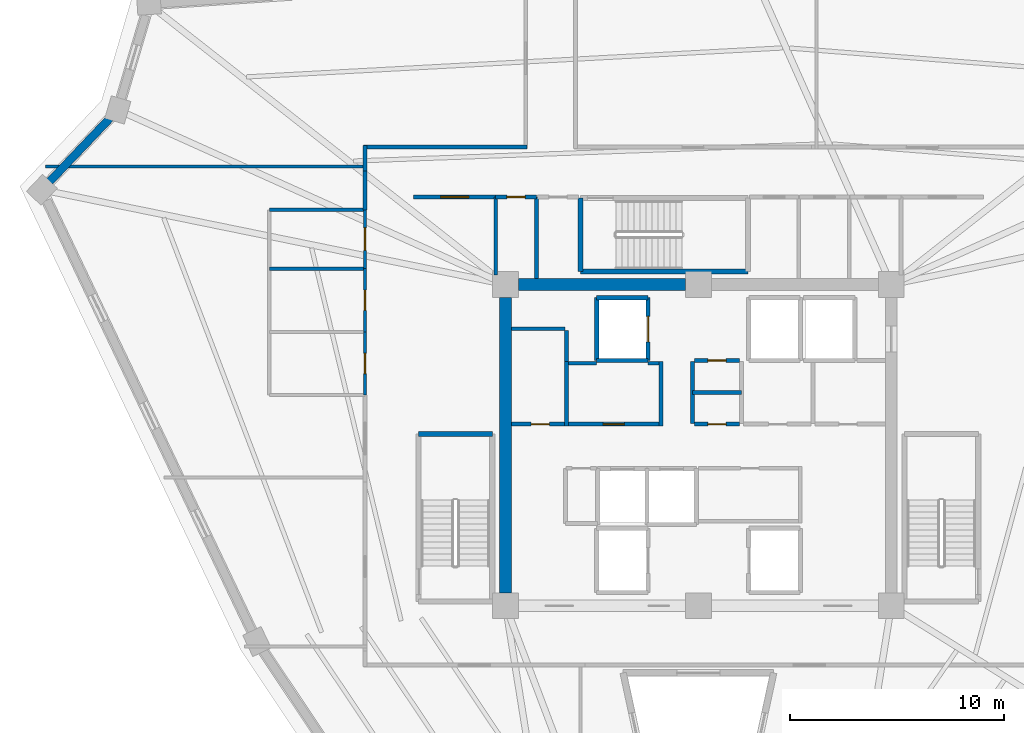
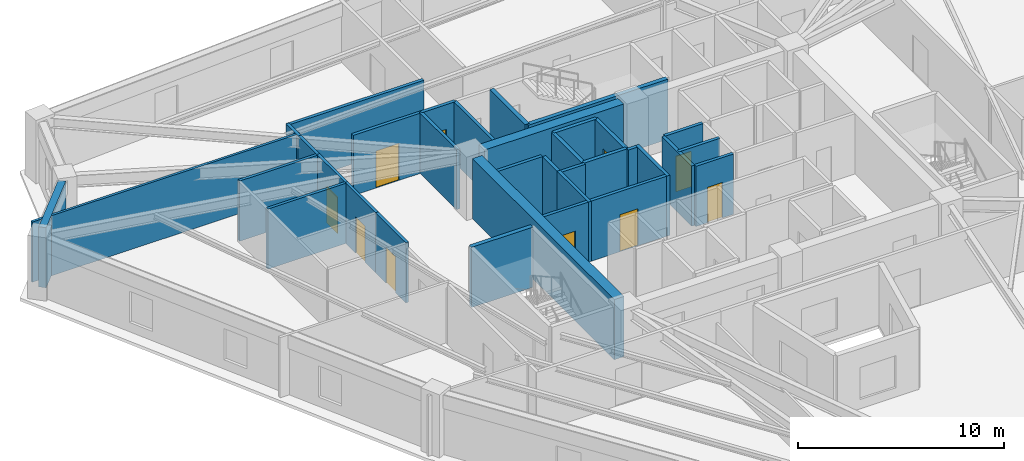
# One storey, part 5 of 8: 35 walls, 10 doors, 10 openings.
"""IFC4 building model written with IfcOpenShell, lengths in metres."""

from ifc_helpers import new_model, si_unit, direction, frame, frame_2d, origin, place, context, subcontext, project, spatial, rectangle, extrude, source, transform, mapped, material, layer, layer_set, type_object, element, fill, save


model = new_model("IFC4")

# Units and contexts
model_context = context("Model", 3, precision=1e-05, world=origin(), true_north=direction((0.0, 1.0)))
body_context = subcontext(model_context, "Body", "Model", "MODEL_VIEW")
ifc_project = project(units=[si_unit("LENGTHUNIT", "METRE"), si_unit("AREAUNIT", "SQUARE_METRE"), si_unit("VOLUMEUNIT", "CUBIC_METRE"), si_unit("PLANEANGLEUNIT", "RADIAN"), si_unit("MASSUNIT", "GRAM", prefix="KILO")], contexts=[model_context])

# Site, building, storey
site_placement = place(None, origin())
site = spatial("IfcSite", under=ifc_project, at=site_placement, CompositionType="ELEMENT")
building_placement = place(site_placement, origin())
building = spatial("IfcBuilding", under=site, at=building_placement, Name="Liaohun Quay Tower", CompositionType="ELEMENT")
storey_placement = place(building_placement, frame((0.0, 0.0, 290.25)))
storey = spatial("IfcBuildingStorey", under=building, at=storey_placement, Name="L75", CompositionType="ELEMENT", Elevation=290.25)

# Walls
ifc_material_1 = material(Name="Concrete C50", Category="concrete")
ifc_layer_1 = layer(ifc_material_1, 0.550048828125, Name="Concrete C50", Category="concrete")
ifc_layer_set_1 = layer_set([ifc_layer_1], Name="Concrete C50")
wall_type_1 = type_object("IfcWallType", Name="WAL-COR-Z4", PredefinedType="SHEAR", material=ifc_layer_set_1)
wall_1_placement = place(storey_placement, frame((51.60009765625, 61.5, 0.0), z_axis=(0.0, 0.0, 1.0), x_axis=(1.0, 0.0, 0.0)))
element("IfcWall", 1, at=wall_1_placement, inside=storey, type_object=wall_type_1, Name="L75 Central Core Shear Wall N-W", PredefinedType="SHEAR", context=body_context, shape_type="SweptSolid", body=[
    extrude(rectangle(XDim=7.7998046875, YDim=0.550048828125, at=frame_2d((3.89990234375, 0.0))), origin(), (0.0, 0.0, 1.0), 3.570068359375),
])
wall_2_placement = place(storey_placement, frame((51.0, 47.10009765625, 0.0), z_axis=(0.0, 0.0, 1.0), x_axis=(0.0, 1.0, 0.0)))
element("IfcWall", 2, at=wall_2_placement, inside=storey, type_object=wall_type_1, Name="L75 Central Core Shear Wall W", PredefinedType="SHEAR", context=body_context, shape_type="SweptSolid", body=[
    extrude(rectangle(XDim=13.7998046875, YDim=0.550048828125, at=frame_2d((6.89990234375, 0.0))), origin(), (0.0, 0.0, 1.0), 3.570068359375),
])
ifc_material_2 = material(Name="Precast concrete C50 insulated sandwich", Category="concrete")
ifc_layer_2 = layer(ifc_material_2, 0.3798828125, Name="Precast concrete C50 insulated sandwich", Category="concrete")
ifc_layer_set_2 = layer_set([ifc_layer_2], Name="Precast concrete C50 insulated sandwich")
wall_type_2 = type_object("IfcWallType", Name="WAL-EXT-Z34", PredefinedType="SOLIDWALL", material=ifc_layer_set_2)
wall_3_placement = place(storey_placement, frame((32.531982421875, 69.2529296875, 0.0), z_axis=(0.0, 0.0, 1.0), x_axis=(-0.689320656659, -0.724456370186, 0.0)))
element("IfcWall", 3, at=wall_3_placement, inside=storey, type_object=wall_type_2, Name="L75 Brutalist Precast Pier Wall 09", PredefinedType="SOLIDWALL", context=body_context, shape_type="SweptSolid", body=[
    extrude(rectangle(XDim=4.06494140625, YDim=0.3798828125, at=frame_2d((2.032470703125, 0.0))), origin(), (0.0, 0.0, 1.0), 3.570068359375),
])

# Wall, opening, door
ifc_material_3 = material(Name="Autoclaved aerated concrete blockwork", Category="masonry")
ifc_layer_3 = layer(ifc_material_3, 0.179931640625, Name="Autoclaved aerated concrete blockwork", Category="masonry")
ifc_layer_set_3 = layer_set([ifc_layer_3], Name="Autoclaved aerated concrete blockwork")
wall_type_3 = type_object("IfcWallType", Name="WAL-PRT-COR", PredefinedType="PARTITIONING", material=ifc_layer_set_3)
wall_4_placement = place(storey_placement, frame((53.93994140625, 54.97998046875, 0.0), z_axis=(0.0, 0.0, 1.0), x_axis=(1.0, 0.0, 0.0)))
wall_4 = element("IfcWall", 4, at=wall_4_placement, inside=storey, type_object=wall_type_3, Name="L75 Interior Partition Wall 002", PredefinedType="PARTITIONING", context=body_context, shape_type="SweptSolid", body=[
    extrude(rectangle(XDim=4.219970703125, YDim=0.179931640625, at=frame_2d((2.10986328125, 0.0))), origin(), (0.0, 0.0, 1.0), 3.570068359375),
])
shared_shape_1 = source(origin(), body_context, "Body", "SweptSolid", [
    extrude(rectangle(XDim=1.0, YDim=2.199951171875, at=frame_2d((0.5, 1.10009765625))), frame((0.0, 0.099853515625, 0.0), z_axis=(0.0, -1.0, 0.0), x_axis=(1.0, 0.0, 0.0)), (0.0, 0.0, 1.0), 0.199951171875),
])
opening_1_placement = place(wall_4_placement, frame((1.610107421875, 0.0, 0.0)))
opening_1 = element("IfcOpeningElement", 5, at=opening_1_placement, cuts=wall_4, Name="Opening OD1", PredefinedType="OPENING", context=body_context, shape_type="MappedRepresentation", body=[
    mapped(shared_shape_1, transform((0.0, 0.0, 0.0), x_axis=(1.0, 0.0, 0.0), y_axis=(0.0, 1.0, 0.0), z_axis=(0.0, 0.0, 1.0), scale=1.0)),
])
ifc_material_4 = material(Name="Solid-core oak veneer timber leaf in steel frame", Category="steel")
door_type_1 = type_object("IfcDoorType", Name="DOR-OFF-1000", OperationType="NOTDEFINED", PredefinedType="DOOR", material=ifc_material_4)
shared_shape_2 = source(origin(), body_context, "Body", "SweptSolid", [
    extrude(rectangle(XDim=1.0, YDim=2.199951171875, at=frame_2d((0.5, 1.10009765625))), frame((0.0, 0.02490234375, 0.0), z_axis=(0.0, -1.0, 0.0), x_axis=(1.0, 0.0, 0.0)), (0.0, 0.0, 1.0), 0.050048828125),
])
door_1_placement = place(opening_1_placement, origin())
door_1 = element("IfcDoor", 6, at=door_1_placement, inside=storey, type_object=door_type_1, Name="L75 Core Staff Pantry and Tea Room Door", OperationType="SINGLE_SWING_RIGHT", OverallHeight=2.199951171875, OverallWidth=1.0, PredefinedType="DOOR", context=body_context, shape_type="MappedRepresentation", body=[
    mapped(shared_shape_2, transform((0.0, 0.0, 0.0), x_axis=(1.0, 0.0, 0.0), y_axis=(0.0, 1.0, 0.0), z_axis=(0.0, 0.0, 1.0), scale=1.0)),
])
fill(opening_1, door_1)

wall_5_placement = place(storey_placement, frame((51.27490234375, 54.97998046875, 0.0), z_axis=(0.0, 0.0, 1.0), x_axis=(1.0, 0.0, 0.0)))
wall_5 = element("IfcWall", 7, at=wall_5_placement, inside=storey, type_object=wall_type_3, Name="L75 Interior Partition Wall 003", PredefinedType="PARTITIONING", context=body_context, shape_type="SweptSolid", body=[
    extrude(rectangle(XDim=2.485107421875, YDim=0.179931640625, at=frame_2d((1.24267578125, 0.0))), origin(), (0.0, 0.0, 1.0), 3.570068359375),
])
shared_shape_3 = source(origin(), body_context, "Body", "SweptSolid", [
    extrude(rectangle(XDim=0.85009765625, YDim=2.10009765625, at=frame_2d((0.425048828125, 1.050048828125))), frame((0.0, 0.099853515625, 0.0), z_axis=(0.0, -1.0, 0.0), x_axis=(1.0, 0.0, 0.0)), (0.0, 0.0, 1.0), 0.199951171875),
])
opening_2_placement = place(wall_5_placement, frame((0.9150390625, 0.0, 0.0)))
opening_2 = element("IfcOpeningElement", 8, at=opening_2_placement, cuts=wall_5, Name="Opening AD1", PredefinedType="OPENING", context=body_context, shape_type="MappedRepresentation", body=[
    mapped(shared_shape_3, transform((0.0, 0.0, 0.0), x_axis=(1.0, 0.0, 0.0), y_axis=(0.0, 1.0, 0.0), z_axis=(0.0, 0.0, 1.0), scale=1.0)),
])
ifc_material_5 = material(Name="Steel riser inspection fire door", Category="steel")
door_type_2 = type_object("IfcDoorType", Name="DOR-SHF-850", OperationType="NOTDEFINED", PredefinedType="DOOR", material=ifc_material_5)
shared_shape_4 = source(origin(), body_context, "Body", "SweptSolid", [
    extrude(rectangle(XDim=0.85009765625, YDim=2.10009765625, at=frame_2d((0.425048828125, 1.050048828125))), frame((0.0, 0.02490234375, 0.0), z_axis=(0.0, -1.0, 0.0), x_axis=(1.0, 0.0, 0.0)), (0.0, 0.0, 1.0), 0.050048828125),
])
door_2_placement = place(opening_2_placement, origin())
door_2 = element("IfcDoor", 9, at=door_2_placement, inside=storey, type_object=door_type_2, Name="L75 Core High-Zone Archive and Riser Store Door", OperationType="SINGLE_SWING_LEFT", OverallHeight=2.10009765625, OverallWidth=0.85009765625, PredefinedType="DOOR", context=body_context, shape_type="MappedRepresentation", body=[
    mapped(shared_shape_4, transform((0.0, 0.0, 0.0), x_axis=(1.0, 0.0, 0.0), y_axis=(0.0, 1.0, 0.0), z_axis=(0.0, 0.0, 1.0), scale=1.0)),
])
fill(opening_2, door_2)

wall_6_placement = place(storey_placement, frame((59.81005859375, 54.97998046875, 0.0), z_axis=(0.0, 0.0, 1.0), x_axis=(1.0, 0.0, 0.0)))
wall_6 = element("IfcWall", 10, at=wall_6_placement, inside=storey, type_object=wall_type_3, Name="L75 Interior Partition Wall 006", PredefinedType="PARTITIONING", context=body_context, shape_type="SweptSolid", body=[
    extrude(rectangle(XDim=2.10986328125, YDim=0.179931640625, at=frame_2d((1.054931640625, 0.0))), origin(), (0.0, 0.0, 1.0), 3.570068359375),
])
opening_3_placement = place(wall_6_placement, frame((0.635009765625, 0.0, 0.0)))
opening_3 = element("IfcOpeningElement", 11, at=opening_3_placement, cuts=wall_6, Name="Opening AD1", PredefinedType="OPENING", context=body_context, shape_type="MappedRepresentation", body=[
    mapped(shared_shape_3, transform((0.0, 0.0, 0.0), x_axis=(1.0, 0.0, 0.0), y_axis=(0.0, 1.0, 0.0), z_axis=(0.0, 0.0, 1.0), scale=1.0)),
])
door_3_placement = place(opening_3_placement, origin())
door_3 = element("IfcDoor", 12, at=door_3_placement, inside=storey, type_object=door_type_2, Name="L75 Electrical Riser Room Door", OperationType="SINGLE_SWING_RIGHT", OverallHeight=2.10009765625, OverallWidth=0.85009765625, PredefinedType="DOOR", context=body_context, shape_type="MappedRepresentation", body=[
    mapped(shared_shape_4, transform((0.0, 0.0, 0.0), x_axis=(1.0, 0.0, 0.0), y_axis=(0.0, 1.0, 0.0), z_axis=(0.0, 0.0, 1.0), scale=1.0)),
])
fill(opening_3, door_3)

wall_7_placement = place(storey_placement, frame((59.81005859375, 57.949951171875, 0.0), z_axis=(0.0, 0.0, 1.0), x_axis=(1.0, 0.0, 0.0)))
wall_7 = element("IfcWall", 13, at=wall_7_placement, inside=storey, type_object=wall_type_3, Name="L75 Interior Partition Wall 007", PredefinedType="PARTITIONING", context=body_context, shape_type="SweptSolid", body=[
    extrude(rectangle(XDim=2.10986328125, YDim=0.179931640625, at=frame_2d((1.054931640625, 0.0))), origin(), (0.0, 0.0, 1.0), 3.570068359375),
])
opening_4_placement = place(wall_7_placement, frame((0.635009765625, 0.0, 0.0)))
opening_4 = element("IfcOpeningElement", 14, at=opening_4_placement, cuts=wall_7, Name="Opening AD1", PredefinedType="OPENING", context=body_context, shape_type="MappedRepresentation", body=[
    mapped(shared_shape_3, transform((0.0, 0.0, 0.0), x_axis=(1.0, 0.0, 0.0), y_axis=(0.0, 1.0, 0.0), z_axis=(0.0, 0.0, 1.0), scale=1.0)),
])
door_4_placement = place(opening_4_placement, origin())
door_4 = element("IfcDoor", 15, at=door_4_placement, inside=storey, type_object=door_type_2, Name="L75 Telecom Comms Closet Door", OperationType="SINGLE_SWING_LEFT", OverallHeight=2.10009765625, OverallWidth=0.85009765625, PredefinedType="DOOR", context=body_context, shape_type="MappedRepresentation", body=[
    mapped(shared_shape_4, transform((0.0, 0.0, 0.0), x_axis=(1.0, 0.0, 0.0), y_axis=(0.0, 1.0, 0.0), z_axis=(0.0, 0.0, 1.0), scale=1.0)),
])
fill(opening_4, door_4)

wall_8_placement = place(storey_placement, frame((50.5400390625, 65.580078125, 0.0), z_axis=(0.0, 0.0, 1.0), x_axis=(1.0, 0.0, 0.0)))
wall_8 = element("IfcWall", 16, at=wall_8_placement, inside=storey, type_object=wall_type_3, Name="L75 Interior Partition Wall 012", PredefinedType="PARTITIONING", context=body_context, shape_type="SweptSolid", body=[
    extrude(rectangle(XDim=1.89990234375, YDim=0.179931640625, at=frame_2d((0.949951171875, 0.0))), origin(), (0.0, 0.0, 1.0), 3.570068359375),
])
opening_5_placement = place(wall_8_placement, frame((0.52490234375, 0.0, 0.0)))
opening_5 = element("IfcOpeningElement", 17, at=opening_5_placement, cuts=wall_8, Name="Opening AD1", PredefinedType="OPENING", context=body_context, shape_type="MappedRepresentation", body=[
    mapped(shared_shape_3, transform((0.0, 0.0, 0.0), x_axis=(1.0, 0.0, 0.0), y_axis=(0.0, 1.0, 0.0), z_axis=(0.0, 0.0, 1.0), scale=1.0)),
])
door_5_placement = place(opening_5_placement, origin())
door_5 = element("IfcDoor", 18, at=door_5_placement, inside=storey, type_object=door_type_2, Name="L75 North-West Riser Closet Door", OperationType="SINGLE_SWING_RIGHT", OverallHeight=2.10009765625, OverallWidth=0.85009765625, PredefinedType="DOOR", context=body_context, shape_type="MappedRepresentation", body=[
    mapped(shared_shape_4, transform((0.0, 0.0, 0.0), x_axis=(1.0, 0.0, 0.0), y_axis=(0.0, 1.0, 0.0), z_axis=(0.0, 0.0, 1.0), scale=1.0)),
])
fill(opening_5, door_5)

wall_9_placement = place(storey_placement, frame((46.699951171875, 65.580078125, 0.0), z_axis=(0.0, 0.0, 1.0), x_axis=(1.0, 0.0, 0.0)))
wall_9 = element("IfcWall", 19, at=wall_9_placement, inside=storey, type_object=wall_type_3, Name="L75 Interior Partition Wall 017", PredefinedType="PARTITIONING", context=body_context, shape_type="SweptSolid", body=[
    extrude(rectangle(XDim=3.840087890625, YDim=0.179931640625, at=frame_2d((1.919921875, 0.0))), origin(), (0.0, 0.0, 1.0), 3.570068359375),
])
shared_shape_5 = source(origin(), body_context, "Body", "SweptSolid", [
    extrude(rectangle(XDim=1.300048828125, YDim=2.199951171875, at=frame_2d((0.64990234375, 1.10009765625))), frame((0.0, 0.099853515625, 0.0), z_axis=(0.0, -1.0, 0.0), x_axis=(1.0, 0.0, 0.0)), (0.0, 0.0, 1.0), 0.199951171875),
])
opening_6_placement = place(wall_9_placement, frame((1.27001953125, 0.0, 0.0)))
opening_6 = element("IfcOpeningElement", 20, at=opening_6_placement, cuts=wall_9, Name="Opening FD1", PredefinedType="OPENING", context=body_context, shape_type="MappedRepresentation", body=[
    mapped(shared_shape_5, transform((0.0, 0.0, 0.0), x_axis=(1.0, 0.0, 0.0), y_axis=(0.0, 1.0, 0.0), z_axis=(0.0, 0.0, 1.0), scale=1.0)),
])
ifc_material_6 = material(Name="Galvanised steel smokeproof fire door", Category="steel")
door_type_3 = type_object("IfcDoorType", Name="DOR-FFL-1300", OperationType="NOTDEFINED", PredefinedType="DOOR", material=ifc_material_6)
shared_shape_6 = source(origin(), body_context, "Body", "SweptSolid", [
    extrude(rectangle(XDim=1.300048828125, YDim=2.199951171875, at=frame_2d((0.64990234375, 1.10009765625))), frame((0.0, 0.02490234375, 0.0), z_axis=(0.0, -1.0, 0.0), x_axis=(1.0, 0.0, 0.0)), (0.0, 0.0, 1.0), 0.050048828125),
])
door_6_placement = place(opening_6_placement, origin())
door_6 = element("IfcDoor", 21, at=door_6_placement, inside=storey, type_object=door_type_3, Name="L75 West Core Vestibule Door", OperationType="SINGLE_SWING_LEFT", OverallHeight=2.199951171875, OverallWidth=1.300048828125, PredefinedType="DOOR", context=body_context, shape_type="MappedRepresentation", body=[
    mapped(shared_shape_6, transform((0.0, 0.0, 0.0), x_axis=(1.0, 0.0, 0.0), y_axis=(0.0, 1.0, 0.0), z_axis=(0.0, 0.0, 1.0), scale=1.0)),
])
fill(opening_6, door_6)

# Walls
wall_10_placement = place(storey_placement, frame((51.27490234375, 59.429931640625, 0.0), z_axis=(0.0, 0.0, 1.0), x_axis=(1.0, 0.0, 0.0)))
element("IfcWall", 22, at=wall_10_placement, inside=storey, type_object=wall_type_3, Name="L75 Interior Partition Wall 029", PredefinedType="PARTITIONING", context=body_context, shape_type="SweptSolid", body=[
    extrude(rectangle(XDim=2.505126953125, YDim=0.179931640625, at=frame_2d((1.25244140625, 0.0))), origin(), (0.0, 0.0, 1.0), 3.570068359375),
])
wall_11_placement = place(storey_placement, frame((59.719970703125, 55.02001953125, 0.0), z_axis=(0.0, 0.0, 1.0), x_axis=(0.0, 1.0, 0.0)))
element("IfcWall", 23, at=wall_11_placement, inside=storey, type_object=wall_type_3, Name="L75 Interior Partition Wall 031", PredefinedType="PARTITIONING", context=body_context, shape_type="SweptSolid", body=[
    extrude(rectangle(XDim=2.8798828125, YDim=0.179931640625, at=frame_2d((1.43994140625, 0.0))), origin(), (0.0, 0.0, 1.0), 3.570068359375),
])
wall_12_placement = place(storey_placement, frame((59.719970703125, 56.4599609375, 0.0), z_axis=(0.0, 0.0, 1.0), x_axis=(1.0, 0.0, 0.0)))
element("IfcWall", 24, at=wall_12_placement, inside=storey, type_object=wall_type_3, Name="L75 Interior Partition Wall 033", PredefinedType="PARTITIONING", context=body_context, shape_type="SweptSolid", body=[
    extrude(rectangle(XDim=2.2900390625, YDim=0.179931640625, at=frame_2d((1.14501953125, 0.0))), origin(), (0.0, 0.0, 1.0), 3.570068359375),
])
wall_13_placement = place(storey_placement, frame((50.5400390625, 61.949951171875, 0.0), z_axis=(0.0, 0.0, 1.0), x_axis=(0.0, 1.0, 0.0)))
element("IfcWall", 25, at=wall_13_placement, inside=storey, type_object=wall_type_3, Name="L75 Interior Partition Wall 041", PredefinedType="PARTITIONING", context=body_context, shape_type="SweptSolid", body=[
    extrude(rectangle(XDim=3.630126953125, YDim=0.179931640625, at=frame_2d((1.81494140625, 0.0))), origin(), (0.0, 0.0, 1.0), 3.570068359375),
])
wall_14_placement = place(storey_placement, frame((52.43994140625, 61.77490234375, 0.0), z_axis=(0.0, 0.0, 1.0), x_axis=(0.0, 1.0, 0.0)))
element("IfcWall", 26, at=wall_14_placement, inside=storey, type_object=wall_type_3, Name="L75 Interior Partition Wall 042", PredefinedType="PARTITIONING", context=body_context, shape_type="SweptSolid", body=[
    extrude(rectangle(XDim=3.80517578125, YDim=0.179931640625, at=frame_2d((1.902587890625, 0.0))), origin(), (0.0, 0.0, 1.0), 3.570068359375),
])
wall_15_placement = place(storey_placement, frame((44.3701171875, 67.909912109375, 0.0), z_axis=(0.0, 0.0, 1.0), x_axis=(1.0, 0.0, 0.0)))
element("IfcWall", 27, at=wall_15_placement, inside=storey, type_object=wall_type_3, Name="L75 Interior Partition Wall 048", PredefinedType="PARTITIONING", context=body_context, shape_type="SweptSolid", body=[
    extrude(rectangle(XDim=7.639892578125, YDim=0.179931640625, at=frame_2d((3.81982421875, 0.0))), origin(), (0.0, 0.0, 1.0), 3.570068359375),
])
wall_16_placement = place(storey_placement, frame((44.43994140625, 66.784912109375, 0.0), z_axis=(0.0, 0.0, 1.0), x_axis=(0.0, 1.0, 0.0)))
element("IfcWall", 28, at=wall_16_placement, inside=storey, type_object=wall_type_3, Name="L75 Interior Partition Wall 049", PredefinedType="PARTITIONING", context=body_context, shape_type="SweptSolid", body=[
    extrude(rectangle(XDim=1.195068359375, YDim=0.179931640625, at=frame_2d((0.59765625, 0.0))), origin(), (0.0, 0.0, 1.0), 3.570068359375),
])
wall_17_placement = place(storey_placement, frame((44.43994140625, 64.97998046875, 0.0), z_axis=(0.0, 0.0, 1.0), x_axis=(0.0, 1.0, 0.0)))
element("IfcWall", 29, at=wall_17_placement, inside=storey, type_object=wall_type_3, Name="L75 Interior Partition Wall 050", PredefinedType="PARTITIONING", context=body_context, shape_type="SweptSolid", body=[
    extrude(rectangle(XDim=1.804931640625, YDim=0.179931640625, at=frame_2d((0.90234375, 0.0))), origin(), (0.0, 0.0, 1.0), 3.570068359375),
])
for number, where, z_axis, x_axis, name in (
    (30, (53.85009765625, 54.889892578125, 0.0), (0.0, 0.0, 1.0), (0.0, 1.0, 0.0), "L75 Interior Partition Wall 065"),
    (31, (58.25, 54.889892578125, 0.0), (0.0, 0.0, 1.0), (0.0, 1.0, 0.0), "L75 Interior Partition Wall 066"),
):
    element("IfcWall", number, at=place(storey_placement, frame(where, z_axis=z_axis, x_axis=x_axis)), inside=storey, type_object=wall_type_3, Name=name, PredefinedType="PARTITIONING", context=body_context, shape_type="SweptSolid", body=[
        extrude(rectangle(XDim=3.02001953125, YDim=0.179931640625, at=frame_2d((1.510009765625, 0.0))), origin(), (0.0, 0.0, 1.0), 3.570068359375),
    ])
wall_18_placement = place(storey_placement, frame((53.93994140625, 57.820068359375, 0.0), z_axis=(0.0, 0.0, 1.0), x_axis=(1.0, 0.0, 0.0)))
element("IfcWall", 32, at=wall_18_placement, inside=storey, type_object=wall_type_3, Name="L75 Interior Partition Wall 067", PredefinedType="PARTITIONING", context=body_context, shape_type="SweptSolid", body=[
    extrude(rectangle(XDim=1.31005859375, YDim=0.179931640625, at=frame_2d((0.655029296875, 0.0))), origin(), (0.0, 0.0, 1.0), 3.570068359375),
])
wall_19_placement = place(storey_placement, frame((57.64990234375, 57.820068359375, 0.0), z_axis=(0.0, 0.0, 1.0), x_axis=(1.0, 0.0, 0.0)))
element("IfcWall", 33, at=wall_19_placement, inside=storey, type_object=wall_type_3, Name="L75 Interior Partition Wall 068", PredefinedType="PARTITIONING", context=body_context, shape_type="SweptSolid", body=[
    extrude(rectangle(XDim=0.510009765625, YDim=0.179931640625, at=frame_2d((0.2548828125, 0.0))), origin(), (0.0, 0.0, 1.0), 3.570068359375),
])
wall_20_placement = place(storey_placement, frame((53.85009765625, 57.909912109375, 0.0), z_axis=(0.0, 0.0, 1.0), x_axis=(0.0, 1.0, 0.0)))
element("IfcWall", 34, at=wall_20_placement, inside=storey, type_object=wall_type_3, Name="L75 Interior Partition Wall 069", PredefinedType="PARTITIONING", context=body_context, shape_type="SweptSolid", body=[
    extrude(rectangle(XDim=1.43017578125, YDim=0.179931640625, at=frame_2d((0.715087890625, 0.0))), origin(), (0.0, 0.0, 1.0), 3.570068359375),
])
ifc_material_7 = material(Name="Gypsum board on twin steel studs", Category="steel")
ifc_layer_4 = layer(ifc_material_7, 0.139892578125, Name="Gypsum board on twin steel studs", Category="steel")
ifc_layer_set_4 = layer_set([ifc_layer_4], Name="Gypsum board on twin steel studs")
wall_type_4 = type_object("IfcWallType", Name="WAL-PRT-OFF", PredefinedType="PARTITIONING", material=ifc_layer_set_4)
wall_21_placement = place(storey_placement, frame((44.5400390625, 67.0, 0.0), z_axis=(0.0, 0.0, 1.0), x_axis=(-1.0, 0.0, 0.0)))
element("IfcWall", 35, at=wall_21_placement, inside=storey, type_object=wall_type_4, Name="L75 Interior Partition Wall 057", PredefinedType="PARTITIONING", context=body_context, shape_type="SweptSolid", body=[
    extrude(rectangle(XDim=15.02099609375, YDim=0.139892578125, at=frame_2d((7.510498046875, 0.0))), origin(), (0.0, 0.0, 1.0), 3.570068359375),
])

# Wall, opening, door
ifc_material_8 = material(Name="Moisture-resistant masonry blockwork", Category="masonry")
ifc_layer_5 = layer(ifc_material_8, 0.159912109375, Name="Moisture-resistant masonry blockwork", Category="masonry")
ifc_layer_set_5 = layer_set([ifc_layer_5], Name="Moisture-resistant masonry blockwork")
wall_type_5 = type_object("IfcWallType", Name="WAL-PRT-WET", PredefinedType="PARTITIONING", material=ifc_layer_set_5)
wall_22_placement = place(storey_placement, frame((44.43994140625, 56.340087890625, 0.0), z_axis=(0.0, 0.0, 1.0), x_axis=(0.0, 1.0, 0.0)))
wall_22 = element("IfcWall", 36, at=wall_22_placement, inside=storey, type_object=wall_type_5, Name="L75 Interior Partition Wall 009", PredefinedType="PARTITIONING", context=body_context, shape_type="SweptSolid", body=[
    extrude(rectangle(XDim=2.93994140625, YDim=0.159912109375, at=frame_2d((1.469970703125, 0.0))), origin(), (0.0, 0.0, 1.0), 3.570068359375),
])
shared_shape_7 = source(origin(), body_context, "Body", "SweptSolid", [
    extrude(rectangle(XDim=0.949951171875, YDim=2.14990234375, at=frame_2d((0.47509765625, 1.074951171875))), frame((0.0, 0.08984375, 0.0), z_axis=(0.0, -1.0, 0.0), x_axis=(1.0, 0.0, 0.0)), (0.0, 0.0, 1.0), 0.179931640625),
])
opening_7_placement = place(wall_22_placement, frame((0.9951171875, 0.0, 0.0)))
opening_7 = element("IfcOpeningElement", 37, at=opening_7_placement, cuts=wall_22, Name="Opening WD1", PredefinedType="OPENING", context=body_context, shape_type="MappedRepresentation", body=[
    mapped(shared_shape_7, transform((0.0, 0.0, 0.0), x_axis=(1.0, 0.0, 0.0), y_axis=(0.0, 1.0, 0.0), z_axis=(0.0, 0.0, 1.0), scale=1.0)),
])
ifc_material_9 = material(Name="Moisture-resistant laminate timber leaf", Category="wood")
door_type_4 = type_object("IfcDoorType", Name="DOR-WC-950", OperationType="NOTDEFINED", PredefinedType="DOOR", material=ifc_material_9)
shared_shape_8 = source(origin(), body_context, "Body", "SweptSolid", [
    extrude(rectangle(XDim=0.949951171875, YDim=2.14990234375, at=frame_2d((0.47509765625, 1.074951171875))), frame((0.0, 0.02490234375, 0.0), z_axis=(0.0, -1.0, 0.0), x_axis=(1.0, 0.0, 0.0)), (0.0, 0.0, 1.0), 0.050048828125),
])
door_7_placement = place(opening_7_placement, origin())
door_7 = element("IfcDoor", 38, at=door_7_placement, inside=storey, type_object=door_type_4, Name="L75 Male Restroom WC Door", OperationType="SINGLE_SWING_LEFT", OverallHeight=2.14990234375, OverallWidth=0.949951171875, PredefinedType="DOOR", context=body_context, shape_type="MappedRepresentation", body=[
    mapped(shared_shape_8, transform((0.0, 0.0, 0.0), x_axis=(1.0, 0.0, 0.0), y_axis=(0.0, 1.0, 0.0), z_axis=(0.0, 0.0, 1.0), scale=1.0)),
])
fill(opening_7, door_7)

wall_23_placement = place(storey_placement, frame((44.43994140625, 59.280029296875, 0.0), z_axis=(0.0, 0.0, 1.0), x_axis=(0.0, 1.0, 0.0)))
wall_23 = element("IfcWall", 39, at=wall_23_placement, inside=storey, type_object=wall_type_5, Name="L75 Interior Partition Wall 010", PredefinedType="PARTITIONING", context=body_context, shape_type="SweptSolid", body=[
    extrude(rectangle(XDim=2.9599609375, YDim=0.159912109375, at=frame_2d((1.47998046875, 0.0))), origin(), (0.0, 0.0, 1.0), 3.570068359375),
])
opening_8_placement = place(wall_23_placement, frame((1.0048828125, 0.0, 0.0)))
opening_8 = element("IfcOpeningElement", 40, at=opening_8_placement, cuts=wall_23, Name="Opening WD1", PredefinedType="OPENING", context=body_context, shape_type="MappedRepresentation", body=[
    mapped(shared_shape_7, transform((0.0, 0.0, 0.0), x_axis=(1.0, 0.0, 0.0), y_axis=(0.0, 1.0, 0.0), z_axis=(0.0, 0.0, 1.0), scale=1.0)),
])
door_8_placement = place(opening_8_placement, origin())
door_8 = element("IfcDoor", 41, at=door_8_placement, inside=storey, type_object=door_type_4, Name="L75 Female Restroom WC Door", OperationType="SINGLE_SWING_RIGHT", OverallHeight=2.14990234375, OverallWidth=0.949951171875, PredefinedType="DOOR", context=body_context, shape_type="MappedRepresentation", body=[
    mapped(shared_shape_8, transform((0.0, 0.0, 0.0), x_axis=(1.0, 0.0, 0.0), y_axis=(0.0, 1.0, 0.0), z_axis=(0.0, 0.0, 1.0), scale=1.0)),
])
fill(opening_8, door_8)

wall_24_placement = place(storey_placement, frame((44.43994140625, 62.239990234375, 0.0), z_axis=(0.0, 0.0, 1.0), x_axis=(0.0, 1.0, 0.0)))
wall_24 = element("IfcWall", 42, at=wall_24_placement, inside=storey, type_object=wall_type_5, Name="L75 Interior Partition Wall 011", PredefinedType="PARTITIONING", context=body_context, shape_type="SweptSolid", body=[
    extrude(rectangle(XDim=2.739990234375, YDim=0.159912109375, at=frame_2d((1.3701171875, 0.0))), origin(), (0.0, 0.0, 1.0), 3.570068359375),
])
shared_shape_9 = source(origin(), body_context, "Body", "SweptSolid", [
    extrude(rectangle(XDim=1.050048828125, YDim=2.14990234375, at=frame_2d((0.52490234375, 1.074951171875))), frame((0.0, 0.08984375, 0.0), z_axis=(0.0, -1.0, 0.0), x_axis=(1.0, 0.0, 0.0)), (0.0, 0.0, 1.0), 0.179931640625),
])
opening_9_placement = place(wall_24_placement, frame((0.844970703125, 0.0, 0.0)))
opening_9 = element("IfcOpeningElement", 43, at=opening_9_placement, cuts=wall_24, Name="Opening WD2", PredefinedType="OPENING", context=body_context, shape_type="MappedRepresentation", body=[
    mapped(shared_shape_9, transform((0.0, 0.0, 0.0), x_axis=(1.0, 0.0, 0.0), y_axis=(0.0, 1.0, 0.0), z_axis=(0.0, 0.0, 1.0), scale=1.0)),
])
ifc_material_10 = material(Name="Accessible outward-swinging laminate door")
door_type_5 = type_object("IfcDoorType", Name="DOR-AWC-1050", OperationType="NOTDEFINED", PredefinedType="DOOR", material=ifc_material_10)
shared_shape_10 = source(origin(), body_context, "Body", "SweptSolid", [
    extrude(rectangle(XDim=1.050048828125, YDim=2.14990234375, at=frame_2d((0.52490234375, 1.074951171875))), frame((0.0, 0.02490234375, 0.0), z_axis=(0.0, -1.0, 0.0), x_axis=(1.0, 0.0, 0.0)), (0.0, 0.0, 1.0), 0.050048828125),
])
door_9_placement = place(opening_9_placement, origin())
door_9 = element("IfcDoor", 44, at=door_9_placement, inside=storey, type_object=door_type_5, Name="L75 Accessible WC Door", OperationType="SINGLE_SWING_LEFT", OverallHeight=2.14990234375, OverallWidth=1.050048828125, PredefinedType="DOOR", context=body_context, shape_type="MappedRepresentation", body=[
    mapped(shared_shape_10, transform((0.0, 0.0, 0.0), x_axis=(1.0, 0.0, 0.0), y_axis=(0.0, 1.0, 0.0), z_axis=(0.0, 0.0, 1.0), scale=1.0)),
])
fill(opening_9, door_9)

# Walls
for number, where, z_axis, x_axis, name in (
    (45, (39.97998046875, 62.239990234375, 0.0), (0.0, 0.0, 1.0), (1.0, 0.0, 0.0), "L75 Interior Partition Wall 039"),
    (46, (39.97998046875, 64.97998046875, 0.0), (0.0, 0.0, 1.0), (1.0, 0.0, 0.0), "L75 Interior Partition Wall 040"),
):
    element("IfcWall", number, at=place(storey_placement, frame(where, z_axis=z_axis, x_axis=x_axis)), inside=storey, type_object=wall_type_5, Name=name, PredefinedType="PARTITIONING", context=body_context, shape_type="SweptSolid", body=[
        extrude(rectangle(XDim=4.4599609375, YDim=0.159912109375, at=frame_2d((2.22998046875, 0.0))), origin(), (0.0, 0.0, 1.0), 3.570068359375),
    ])
ifc_layer_6 = layer(ifc_material_1, 0.239990234375, Name="Concrete C50", Category="concrete")
ifc_layer_set_6 = layer_set([ifc_layer_6], Name="Concrete C50")
wall_type_6 = type_object("IfcWallType", Name="WAL-SHF-200", PredefinedType="SOLIDWALL", material=ifc_layer_set_6)
wall_25_placement = place(storey_placement, frame((50.3798828125, 54.52001953125, 0.0), z_axis=(0.0, 0.0, 1.0), x_axis=(-1.0, 0.0, 0.0)))
element("IfcWall", 47, at=wall_25_placement, inside=storey, type_object=wall_type_6, Name="L75 Stairwell ST-1 Structural Core Wall N", PredefinedType="SOLIDWALL", context=body_context, shape_type="SweptSolid", body=[
    extrude(rectangle(XDim=3.43994140625, YDim=0.239990234375, at=frame_2d((1.719970703125, 0.0))), origin(), (0.0, 0.0, 1.0), 3.570068359375),
])
wall_26_placement = place(storey_placement, frame((54.5, 62.10009765625, 0.0), z_axis=(0.0, 0.0, 1.0), x_axis=(1.0, 0.0, 0.0)))
element("IfcWall", 48, at=wall_26_placement, inside=storey, type_object=wall_type_6, Name="L75 Stairwell ST-3 Structural Core Wall S", PredefinedType="SOLIDWALL", context=body_context, shape_type="SweptSolid", body=[
    extrude(rectangle(XDim=7.820068359375, YDim=0.239990234375, at=frame_2d((3.91015625, 0.0))), origin(), (0.0, 0.0, 1.0), 3.570068359375),
])
wall_27_placement = place(storey_placement, frame((54.5, 65.5400390625, 0.0), z_axis=(0.0, 0.0, 1.0), x_axis=(0.0, -1.0, 0.0)))
element("IfcWall", 49, at=wall_27_placement, inside=storey, type_object=wall_type_6, Name="L75 Stairwell ST-3 Structural Core Wall W", PredefinedType="SOLIDWALL", context=body_context, shape_type="SweptSolid", body=[
    extrude(rectangle(XDim=3.43994140625, YDim=0.239990234375, at=frame_2d((1.719970703125, 0.0))), origin(), (0.0, 0.0, 1.0), 3.570068359375),
])
wall_28_placement = place(storey_placement, frame((55.25, 57.949951171875, 0.0), z_axis=(0.0, 0.0, 1.0), x_axis=(1.0, 0.0, 0.0)))
element("IfcWall", 50, at=wall_28_placement, inside=storey, type_object=wall_type_6, Name="L75 Lift FF-03 Hoistway Wall S", PredefinedType="SOLIDWALL", context=body_context, shape_type="SweptSolid", body=[
    extrude(rectangle(XDim=2.39990234375, YDim=0.199951171875, at=frame_2d((1.199951171875, 0.0))), origin(), (0.0, 0.0, 1.0), 3.570068359375),
])

# Wall, opening, door
wall_29_placement = place(storey_placement, frame((57.64990234375, 57.949951171875, 0.0), z_axis=(0.0, 0.0, 1.0), x_axis=(0.0, 1.0, 0.0)))
wall_29 = element("IfcWall", 51, at=wall_29_placement, inside=storey, type_object=wall_type_6, Name="L75 Lift FF-03 Hoistway Wall E", PredefinedType="SOLIDWALL", context=body_context, shape_type="SweptSolid", body=[
    extrude(rectangle(XDim=2.929931640625, YDim=0.199951171875, at=frame_2d((1.46484375, 0.0))), origin(), (0.0, 0.0, 1.0), 3.570068359375),
])
shared_shape_11 = source(origin(), body_context, "Body", "SweptSolid", [
    extrude(rectangle(XDim=1.199951171875, YDim=2.300048828125, at=frame_2d((0.60009765625, 1.14990234375))), frame((0.0, 0.10986328125, 0.0), z_axis=(0.0, -1.0, 0.0), x_axis=(1.0, 0.0, 0.0)), (0.0, 0.0, 1.0), 0.219970703125),
])
opening_10_placement = place(wall_29_placement, frame((0.864990234375, 0.0, 0.0)))
opening_10 = element("IfcOpeningElement", 52, at=opening_10_placement, cuts=wall_29, Name="Opening LD2", PredefinedType="OPENING", context=body_context, shape_type="MappedRepresentation", body=[
    mapped(shared_shape_11, transform((0.0, 0.0, 0.0), x_axis=(1.0, 0.0, 0.0), y_axis=(0.0, 1.0, 0.0), z_axis=(0.0, 0.0, 1.0), scale=1.0)),
])
ifc_material_11 = material(Name="Brushed stainless steel stretcher landing door", Category="steel")
door_type_6 = type_object("IfcDoorType", Name="DOR-LFT-1200", OperationType="SLIDING_TO_LEFT", PredefinedType="DOOR", material=ifc_material_11)
shared_shape_12 = source(origin(), body_context, "Body", "SweptSolid", [
    extrude(rectangle(XDim=1.199951171875, YDim=2.300048828125, at=frame_2d((0.60009765625, 1.14990234375))), frame((0.0, 0.02490234375, 0.0), z_axis=(0.0, -1.0, 0.0), x_axis=(1.0, 0.0, 0.0)), (0.0, 0.0, 1.0), 0.050048828125),
])
door_10_placement = place(opening_10_placement, origin())
door_10 = element("IfcDoor", 53, at=door_10_placement, inside=storey, type_object=door_type_6, Name="L75 Lift FF-03 Sliding Landing Door", OperationType="SLIDING_TO_LEFT", OverallHeight=2.300048828125, OverallWidth=1.199951171875, PredefinedType="DOOR", context=body_context, shape_type="MappedRepresentation", body=[
    mapped(shared_shape_12, transform((0.0, 0.0, 0.0), x_axis=(1.0, 0.0, 0.0), y_axis=(0.0, 1.0, 0.0), z_axis=(0.0, 0.0, 1.0), scale=1.0)),
])
fill(opening_10, door_10)

# Walls
wall_30_placement = place(storey_placement, frame((57.64990234375, 60.8798828125, 0.0), z_axis=(0.0, 0.0, 1.0), x_axis=(-1.0, 0.0, 0.0)))
element("IfcWall", 54, at=wall_30_placement, inside=storey, type_object=wall_type_6, Name="L75 Lift FF-03 Hoistway Wall N", PredefinedType="SOLIDWALL", context=body_context, shape_type="SweptSolid", body=[
    extrude(rectangle(XDim=2.39990234375, YDim=0.199951171875, at=frame_2d((1.199951171875, 0.0))), origin(), (0.0, 0.0, 1.0), 3.570068359375),
])
wall_31_placement = place(storey_placement, frame((55.25, 60.8798828125, 0.0), z_axis=(0.0, 0.0, 1.0), x_axis=(0.0, -1.0, 0.0)))
element("IfcWall", 55, at=wall_31_placement, inside=storey, type_object=wall_type_6, Name="L75 Lift FF-03 Hoistway Wall W", PredefinedType="SOLIDWALL", context=body_context, shape_type="SweptSolid", body=[
    extrude(rectangle(XDim=2.929931640625, YDim=0.199951171875, at=frame_2d((1.46484375, 0.0))), origin(), (0.0, 0.0, 1.0), 3.570068359375),
])

save(model, "model.ifc")
